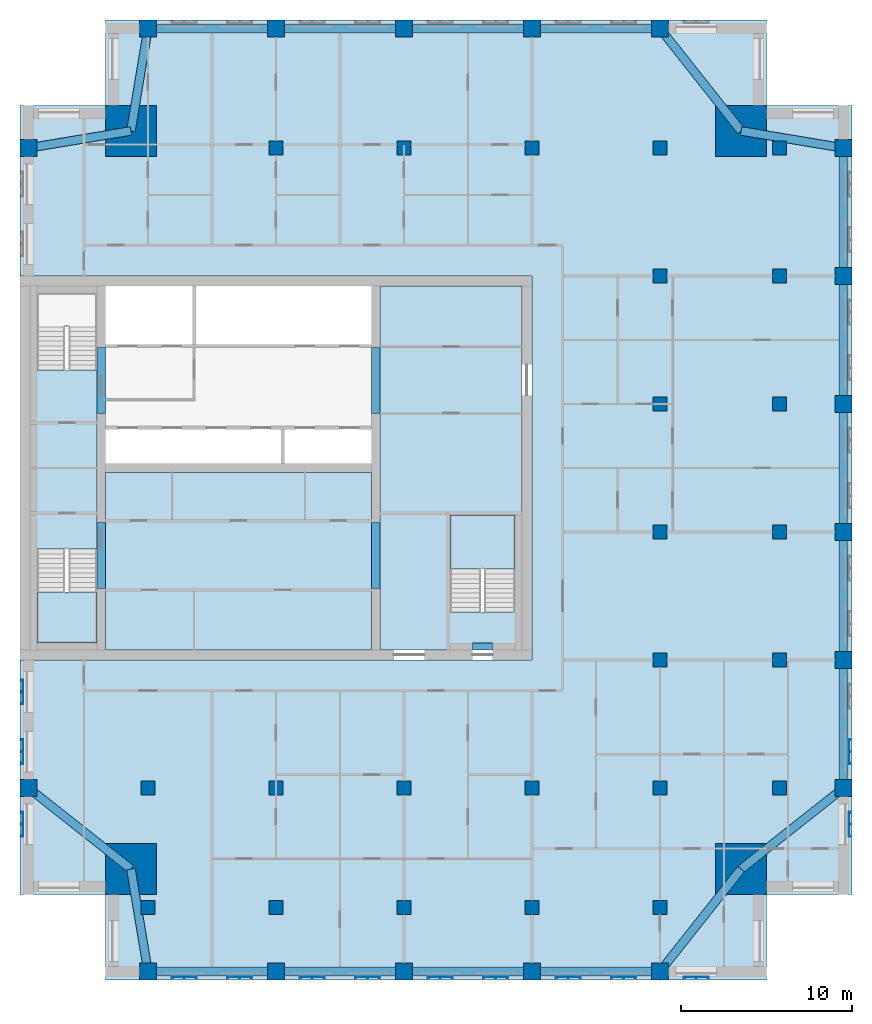
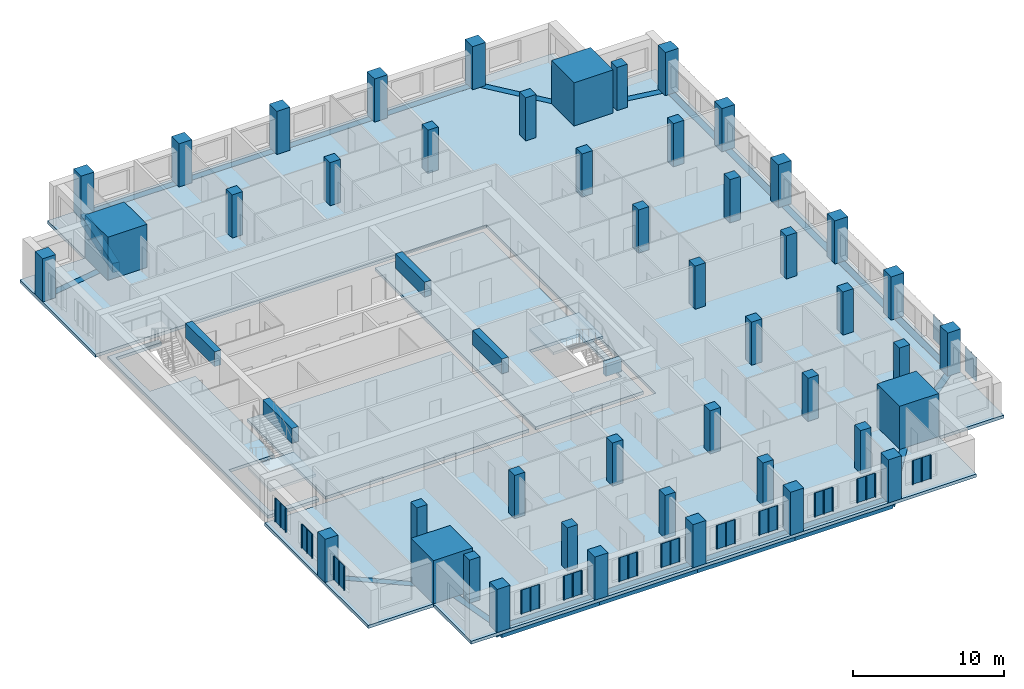
# One storey, part 1 of 11: 46 columns, 26 beams, 14 plates, 6 slabs, 2 elements without a shape of their own.
"""IFC4 building model written with IfcOpenShell, lengths in metres."""

from ifc_helpers import new_model, si_unit, direction, frame, origin, origin_2d, place, context, subcontext, project, spatial, polyline, rectangle, outline, extrude, material, layer, layer_set, material_profile, profile_set, type_object, element, aggregate, save


model = new_model("IFC4")

# Units and contexts
model_context = context("Model", 3, precision=1e-05, world=origin(), true_north=direction((0.0, 1.0)))
body_context = subcontext(model_context, "Body", "Model", "MODEL_VIEW")
ifc_project = project(units=[si_unit("LENGTHUNIT", "METRE"), si_unit("AREAUNIT", "SQUARE_METRE"), si_unit("VOLUMEUNIT", "CUBIC_METRE"), si_unit("PLANEANGLEUNIT", "RADIAN"), si_unit("MASSUNIT", "GRAM", prefix="KILO")], contexts=[model_context])

# Site, building, storey
site_placement = place(None, origin())
site = spatial("IfcSite", under=ifc_project, at=site_placement, CompositionType="ELEMENT")
building_placement = place(site_placement, origin())
building = spatial("IfcBuilding", under=site, at=building_placement, Name="Tamorin Gate", CompositionType="ELEMENT")
storey_placement = place(building_placement, frame((0.0, 0.0, 233.699951171875)))
storey = spatial("IfcBuildingStorey", under=building, at=storey_placement, Name="L58", CompositionType="ELEMENT", Elevation=233.699951171875)

# Columns
ifc_material_1 = material(Name="Concrete C50/60", Category="concrete")
ifc_material_profile_1 = material_profile(ifc_material_1, rectangle(XDim=1.0, YDim=1.0, at=origin_2d()), Name="RC 1000x1000")
ifc_profile_set_1 = profile_set([ifc_material_profile_1], Name="Concrete C50/60")
column_type_1 = type_object("IfcColumnType", Name="RC column 1000x1000 C50/60", PredefinedType="COLUMN", material=ifc_profile_set_1)
for number, where, z_axis, x_axis, name in (
    (1, (37.5, 41.75, 0.0), (0.0, 0.0, 1.0), (1.0, 0.0, 0.0), "Ring column L58"),
    (2, (45.0, 41.75, 0.0), (0.0, 0.0, 1.0), (1.0, 0.0, 0.0), "Ring column L58"),
    (3, (52.5, 41.75, 0.0), (0.0, 0.0, 1.0), (1.0, 0.0, 0.0), "Ring column L58"),
    (4, (60.0, 41.75, 0.0), (0.0, 0.0, 1.0), (1.0, 0.0, 0.0), "Ring column L58"),
    (5, (67.5, 41.75, 0.0), (0.0, 0.0, 1.0), (1.0, 0.0, 0.0), "Ring column L58"),
    (6, (78.25, 52.5, 0.0), (0.0, 0.0, 1.0), (1.0, 0.0, 0.0), "Ring column L58"),
    (7, (78.25, 60.0, 0.0), (0.0, 0.0, 1.0), (1.0, 0.0, 0.0), "Ring column L58"),
    (8, (78.25, 67.5, 0.0), (0.0, 0.0, 1.0), (1.0, 0.0, 0.0), "Ring column L58"),
    (9, (78.25, 75.0, 0.0), (0.0, 0.0, 1.0), (1.0, 0.0, 0.0), "Ring column L58"),
    (10, (78.25, 82.5, 0.0), (0.0, 0.0, 1.0), (1.0, 0.0, 0.0), "Ring column L58"),
    (11, (78.25, 90.0, 0.0), (0.0, 0.0, 1.0), (1.0, 0.0, 0.0), "Ring column L58"),
    (12, (30.5, 52.5, 0.0), (0.0, 0.0, 1.0), (1.0, 0.0, 0.0), "Ring column L58"),
    (13, (30.5, 90.0, 0.0), (0.0, 0.0, 1.0), (1.0, 0.0, 0.0), "Ring column L58"),
    (14, (37.5, 97.0, 0.0), (0.0, 0.0, 1.0), (1.0, 0.0, 0.0), "Ring column L58"),
    (15, (45.0, 97.0, 0.0), (0.0, 0.0, 1.0), (1.0, 0.0, 0.0), "Ring column L58"),
    (16, (52.5, 97.0, 0.0), (0.0, 0.0, 1.0), (1.0, 0.0, 0.0), "Ring column L58"),
    (17, (60.0, 97.0, 0.0), (0.0, 0.0, 1.0), (1.0, 0.0, 0.0), "Ring column L58"),
    (18, (67.5, 97.0, 0.0), (0.0, 0.0, 1.0), (1.0, 0.0, 0.0), "Ring column L58"),
):
    element("IfcColumn", number, at=place(storey_placement, frame(where, z_axis=z_axis, x_axis=x_axis)), inside=storey, type_object=column_type_1, Name=name, PredefinedType="COLUMN", context=body_context, shape_type="SweptSolid", body=[
        extrude(rectangle(XDim=1.0, YDim=1.0, at=origin_2d()), origin(), (0.0, 0.0, 1.0), 3.5),
    ])
ifc_material_profile_2 = material_profile(ifc_material_1, rectangle(XDim=3.0, YDim=3.0, at=origin_2d()), Name="RC 3000x3000")
ifc_profile_set_2 = profile_set([ifc_material_profile_2], Name="Concrete C50/60")
column_type_2 = type_object("IfcColumnType", Name="RC column 3000x3000 C50/60", PredefinedType="COLUMN", material=ifc_profile_set_2)
for number, where, z_axis, x_axis, name in (
    (19, (36.5, 47.75, 0.0), (0.0, 0.0, 1.0), (1.0, 0.0, 0.0), "Mega column SW L58"),
    (20, (72.25, 47.75, 0.0), (0.0, 0.0, 1.0), (1.0, 0.0, 0.0), "Mega column SE L58"),
    (21, (36.5, 91.0, 0.0), (0.0, 0.0, 1.0), (1.0, 0.0, 0.0), "Mega column NW L58"),
    (22, (72.25, 91.0, 0.0), (0.0, 0.0, 1.0), (1.0, 0.0, 0.0), "Mega column NE L58"),
):
    element("IfcColumn", number, at=place(storey_placement, frame(where, z_axis=z_axis, x_axis=x_axis)), inside=storey, type_object=column_type_2, Name=name, PredefinedType="COLUMN", context=body_context, shape_type="SweptSolid", body=[
        extrude(rectangle(XDim=3.0, YDim=3.0, at=origin_2d()), origin(), (0.0, 0.0, 1.0), 3.5),
    ])
ifc_material_profile_3 = material_profile(ifc_material_1, rectangle(XDim=0.800048828125, YDim=0.800048828125, at=origin_2d()), Name="RC 800x800")
ifc_profile_set_3 = profile_set([ifc_material_profile_3], Name="Concrete C50/60")
column_type_3 = type_object("IfcColumnType", Name="RC column 800x800 C50/60", PredefinedType="COLUMN", material=ifc_profile_set_3)
for number, where, z_axis, x_axis, name in (
    (23, (37.5, 45.5, 0.0), (0.0, 0.0, 1.0), (1.0, 0.0, 0.0), "Interior column L58"),
    (24, (37.5, 52.5, 0.0), (0.0, 0.0, 1.0), (1.0, 0.0, 0.0), "Interior column L58"),
    (25, (45.0, 45.5, 0.0), (0.0, 0.0, 1.0), (1.0, 0.0, 0.0), "Interior column L58"),
    (26, (45.0, 52.5, 0.0), (0.0, 0.0, 1.0), (1.0, 0.0, 0.0), "Interior column L58"),
    (27, (45.0, 90.0, 0.0), (0.0, 0.0, 1.0), (1.0, 0.0, 0.0), "Interior column L58"),
    (28, (52.5, 45.5, 0.0), (0.0, 0.0, 1.0), (1.0, 0.0, 0.0), "Interior column L58"),
    (29, (52.5, 52.5, 0.0), (0.0, 0.0, 1.0), (1.0, 0.0, 0.0), "Interior column L58"),
    (30, (52.5, 90.0, 0.0), (0.0, 0.0, 1.0), (1.0, 0.0, 0.0), "Interior column L58"),
    (31, (60.0, 45.5, 0.0), (0.0, 0.0, 1.0), (1.0, 0.0, 0.0), "Interior column L58"),
    (32, (60.0, 52.5, 0.0), (0.0, 0.0, 1.0), (1.0, 0.0, 0.0), "Interior column L58"),
    (33, (60.0, 90.0, 0.0), (0.0, 0.0, 1.0), (1.0, 0.0, 0.0), "Interior column L58"),
    (34, (67.5, 45.5, 0.0), (0.0, 0.0, 1.0), (1.0, 0.0, 0.0), "Interior column L58"),
    (35, (67.5, 52.5, 0.0), (0.0, 0.0, 1.0), (1.0, 0.0, 0.0), "Interior column L58"),
    (36, (67.5, 60.0, 0.0), (0.0, 0.0, 1.0), (1.0, 0.0, 0.0), "Interior column L58"),
    (37, (67.5, 67.5, 0.0), (0.0, 0.0, 1.0), (1.0, 0.0, 0.0), "Interior column L58"),
    (38, (67.5, 75.0, 0.0), (0.0, 0.0, 1.0), (1.0, 0.0, 0.0), "Interior column L58"),
    (39, (67.5, 82.5, 0.0), (0.0, 0.0, 1.0), (1.0, 0.0, 0.0), "Interior column L58"),
    (40, (67.5, 90.0, 0.0), (0.0, 0.0, 1.0), (1.0, 0.0, 0.0), "Interior column L58"),
    (41, (74.5, 52.5, 0.0), (0.0, 0.0, 1.0), (1.0, 0.0, 0.0), "Interior column L58"),
    (42, (74.5, 60.0, 0.0), (0.0, 0.0, 1.0), (1.0, 0.0, 0.0), "Interior column L58"),
    (43, (74.5, 67.5, 0.0), (0.0, 0.0, 1.0), (1.0, 0.0, 0.0), "Interior column L58"),
    (44, (74.5, 75.0, 0.0), (0.0, 0.0, 1.0), (1.0, 0.0, 0.0), "Interior column L58"),
    (45, (74.5, 82.5, 0.0), (0.0, 0.0, 1.0), (1.0, 0.0, 0.0), "Interior column L58"),
    (46, (74.5, 90.0, 0.0), (0.0, 0.0, 1.0), (1.0, 0.0, 0.0), "Interior column L58"),
):
    element("IfcColumn", number, at=place(storey_placement, frame(where, z_axis=z_axis, x_axis=x_axis)), inside=storey, type_object=column_type_3, Name=name, PredefinedType="COLUMN", context=body_context, shape_type="SweptSolid", body=[
        extrude(rectangle(XDim=0.800048828125, YDim=0.800048828125, at=origin_2d()), origin(), (0.0, 0.0, 1.0), 3.5),
    ])

# Beams
ifc_material_profile_4 = material_profile(ifc_material_1, rectangle(XDim=0.5, YDim=1.199951171875, at=origin_2d()), Name="RC 500x1200")
ifc_profile_set_4 = profile_set([ifc_material_profile_4], Name="Concrete C50/60")
beam_type_1 = type_object("IfcBeamType", Name="RC coupling beam 500x1200 C50/60", PredefinedType="BEAM", material=ifc_profile_set_4)
for number, where, z_axis, x_axis, name in (
    (47, (34.75, 64.199951171875, 2.900146484375), (0.0, 1.0, 0.0), (-1.0, 0.0, 0.0), "Coupling beam L58"),
    (48, (34.75, 74.449951171875, 2.900146484375), (0.0, 1.0, 0.0), (-1.0, 0.0, 0.0), "Coupling beam L58"),
    (49, (50.85009765625, 64.199951171875, 2.900146484375), (0.0, 1.0, 0.0), (-1.0, 0.0, 0.0), "Coupling beam L58"),
    (50, (50.85009765625, 74.449951171875, 2.900146484375), (0.0, 1.0, 0.0), (-1.0, 0.0, 0.0), "Coupling beam L58"),
):
    element("IfcBeam", number, at=place(storey_placement, frame(where, z_axis=z_axis, x_axis=x_axis)), inside=storey, type_object=beam_type_1, Name=name, PredefinedType="BEAM", context=body_context, shape_type="SweptSolid", body=[
        extrude(rectangle(XDim=0.5, YDim=1.199951171875, at=origin_2d()), origin(), (0.0, 0.0, 1.0), 3.85009765625),
    ])
ifc_material_profile_5 = material_profile(ifc_material_1, rectangle(XDim=0.5, YDim=0.75, at=origin_2d()), Name="RC 500x750")
ifc_profile_set_5 = profile_set([ifc_material_profile_5], Name="Concrete C50/60")
beam_type_2 = type_object("IfcBeamType", Name="RC spandrel 500x750 C50/60", PredefinedType="BEAM", material=ifc_profile_set_5)
for number, where, z_axis, x_axis, name in (
    (51, (37.5, 41.75, -0.375), (1.0, 0.0, 0.0), (0.0, 1.0, 0.0), "Spandrel beam L58"),
    (52, (45.0, 41.75, -0.375), (1.0, 0.0, 0.0), (0.0, 1.0, 0.0), "Spandrel beam L58"),
    (53, (52.5, 41.75, -0.375), (1.0, 0.0, 0.0), (0.0, 1.0, 0.0), "Spandrel beam L58"),
    (54, (60.0, 41.75, -0.375), (1.0, 0.0, 0.0), (0.0, 1.0, 0.0), "Spandrel beam L58"),
    (55, (78.25, 52.5, -0.375), (0.0, 1.0, 0.0), (-1.0, 0.0, 0.0), "Spandrel beam L58"),
    (56, (78.25, 60.0, -0.375), (0.0, 1.0, 0.0), (-1.0, 0.0, 0.0), "Spandrel beam L58"),
    (57, (78.25, 67.5, -0.375), (0.0, 1.0, 0.0), (-1.0, 0.0, 0.0), "Spandrel beam L58"),
    (58, (78.25, 75.0, -0.375), (0.0, 1.0, 0.0), (-1.0, 0.0, 0.0), "Spandrel beam L58"),
    (59, (78.25, 82.5, -0.375), (0.0, 1.0, 0.0), (-1.0, 0.0, 0.0), "Spandrel beam L58"),
    (60, (67.5, 97.0, -0.375), (-1.0, 0.0, 0.0), (0.0, -1.0, 0.0), "Spandrel beam L58"),
    (61, (60.0, 97.0, -0.375), (-1.0, 0.0, 0.0), (0.0, -1.0, 0.0), "Spandrel beam L58"),
    (62, (52.5, 97.0, -0.375), (-1.0, 0.0, 0.0), (0.0, -1.0, 0.0), "Spandrel beam L58"),
    (63, (45.0, 97.0, -0.375), (-1.0, 0.0, 0.0), (0.0, -1.0, 0.0), "Spandrel beam L58"),
):
    element("IfcBeam", number, at=place(storey_placement, frame(where, z_axis=z_axis, x_axis=x_axis)), inside=storey, type_object=beam_type_2, Name=name, PredefinedType="BEAM", context=body_context, shape_type="SweptSolid", body=[
        extrude(rectangle(XDim=0.5, YDim=0.75, at=origin_2d()), origin(), (0.0, 0.0, 1.0), 7.5),
    ])
beam_1_placement = place(storey_placement, frame((36.5, 47.75, -0.375), z_axis=(0.164398987305, -0.986393923832, 0.0), x_axis=(0.986393923832, 0.164398987305, 0.0)))
element("IfcBeam", 64, at=beam_1_placement, inside=storey, type_object=beam_type_2, Name="Corner tie beam L58", PredefinedType="BEAM", context=body_context, shape_type="SweptSolid", body=[
    extrude(rectangle(XDim=0.5, YDim=0.75, at=origin_2d()), origin(), (0.0, 0.0, 1.0), 6.082763671875),
])
for number, where, z_axis, x_axis, name in (
    (65, (36.5, 47.75, -0.375), (-0.784045824462, 0.620702944366, 0.0), (-0.620702944366, -0.784045824462, 0.0), "Corner tie beam L58"),
    (66, (72.25, 47.75, -0.375), (-0.620702944366, -0.784045824462, 0.0), (0.784045824462, -0.620702944366, 0.0), "Corner tie beam L58"),
    (67, (72.25, 47.75, -0.375), (0.784045824462, 0.620702944366, 0.0), (-0.620702944366, 0.784045824462, 0.0), "Corner tie beam L58"),
):
    element("IfcBeam", number, at=place(storey_placement, frame(where, z_axis=z_axis, x_axis=x_axis)), inside=storey, type_object=beam_type_2, Name=name, PredefinedType="BEAM", context=body_context, shape_type="SweptSolid", body=[
        extrude(rectangle(XDim=0.5, YDim=0.75, at=origin_2d()), origin(), (0.0, 0.0, 1.0), 7.652587890625),
    ])
for number, where, z_axis, x_axis, name in (
    (68, (36.5, 91.0, -0.375), (-0.986393923832, -0.164398987305, 0.0), (0.164398987305, -0.986393923832, 0.0), "Corner tie beam L58"),
    (69, (36.5, 91.0, -0.375), (0.164398987305, 0.986393923832, 0.0), (-0.986393923832, 0.164398987305, 0.0), "Corner tie beam L58"),
    (70, (72.25, 91.0, -0.375), (0.986393923832, -0.164398987305, 0.0), (0.164398987305, 0.986393923832, 0.0), "Corner tie beam L58"),
):
    element("IfcBeam", number, at=place(storey_placement, frame(where, z_axis=z_axis, x_axis=x_axis)), inside=storey, type_object=beam_type_2, Name=name, PredefinedType="BEAM", context=body_context, shape_type="SweptSolid", body=[
        extrude(rectangle(XDim=0.5, YDim=0.75, at=origin_2d()), origin(), (0.0, 0.0, 1.0), 6.082763671875),
    ])
beam_2_placement = place(storey_placement, frame((72.25, 91.0, -0.375), z_axis=(-0.620702944366, 0.784045824462, 0.0), x_axis=(-0.784045824462, -0.620702944366, 0.0)))
element("IfcBeam", 71, at=beam_2_placement, inside=storey, type_object=beam_type_2, Name="Corner tie beam L58", PredefinedType="BEAM", context=body_context, shape_type="SweptSolid", body=[
    extrude(rectangle(XDim=0.5, YDim=0.75, at=origin_2d()), origin(), (0.0, 0.0, 1.0), 7.652587890625),
])
ifc_material_profile_6 = material_profile(ifc_material_1, rectangle(XDim=0.39990234375, YDim=1.0, at=origin_2d()))
ifc_profile_set_6 = profile_set([ifc_material_profile_6], Name="Concrete C50/60")
beam_type_3 = type_object("IfcBeamType", Name="Stair lintel 400x1000 C50/60", PredefinedType="BEAM", material=ifc_profile_set_6)
beam_3_placement = place(storey_placement, frame((56.5, 60.800048828125, 2.699951171875), z_axis=(1.0, 0.0, 0.0), x_axis=(0.0, 1.0, 0.0)))
element("IfcBeam", 72, at=beam_3_placement, inside=storey, type_object=beam_type_3, Name="Stair lintel", PredefinedType="BEAM", context=body_context, shape_type="SweptSolid", body=[
    extrude(rectangle(XDim=0.39990234375, YDim=1.0, at=origin_2d()), origin(), (0.0, 0.0, 1.0), 1.199951171875),
])

# Slabs
ifc_material_2 = material(Name="Concrete C40/50", Category="concrete")
ifc_layer_1 = layer(ifc_material_2, 0.25)
ifc_layer_set_1 = layer_set([ifc_layer_1], Name="Core floor slab 250 C40/50")
slab_type_1 = type_object("IfcSlabType", Name="Core floor slab 250 C40/50", PredefinedType="FLOOR", material=ifc_layer_set_1)
slab_1_placement = place(storey_placement, frame((0.0, 0.0, -0.25)))
element("IfcSlab", 73, at=slab_1_placement, inside=storey, type_object=slab_type_1, Name="Core floor L58", PredefinedType="FLOOR", context=body_context, shape_type="SweptSolid", body=[
    extrude(outline(polyline([(51.10009765625, 81.89990234375), (59.39990234375, 81.89990234375), (59.39990234375, 60.60009765625), (51.10009765625, 60.60009765625), (51.10009765625, 81.89990234375)]), holes=[polyline([(55.199951171875, 62.800048828125), (59.0, 62.800048828125), (59.0, 68.5), (55.199951171875, 68.5), (55.199951171875, 62.800048828125)])]), origin(), (0.0, 0.0, 1.0), 0.25),
])
slab_2_placement = place(storey_placement, frame((0.0, 0.0, -0.25)))
element("IfcSlab", 74, at=slab_2_placement, inside=storey, type_object=slab_type_1, Name="Core floor L58", PredefinedType="FLOOR", context=body_context, shape_type="SweptSolid", body=[
    extrude(outline(polyline([(50.60009765625, 71.0), (50.60009765625, 60.60009765625), (35.0, 60.60009765625), (35.0, 71.0), (50.60009765625, 71.0)])), origin(), (0.0, 0.0, 1.0), 0.25),
])
slab_3_placement = place(storey_placement, frame((0.0, 0.0, -0.25)))
element("IfcSlab", 75, at=slab_3_placement, inside=storey, type_object=slab_type_1, Name="Core floor L58", PredefinedType="FLOOR", context=body_context, shape_type="SweptSolid", body=[
    extrude(outline(polyline([(34.5, 60.60009765625), (30.60009765625, 60.60009765625), (30.60009765625, 81.89990234375), (34.5, 81.89990234375), (34.5, 81.5), (31.0, 81.5), (31.0, 77.0), (34.5, 77.0), (34.5, 66.5), (31.0, 66.5), (31.0, 61.0), (34.5, 61.0), (34.5, 60.60009765625)])), origin(), (0.0, 0.0, 1.0), 0.25),
])

# Stair, slab
stair_type = type_object("IfcStairType", Name="Exit stair", PredefinedType="HALF_TURN_STAIR", material=ifc_material_2)
stair_1_placement = place(storey_placement, origin())
stair_1 = element("IfcStair", 76, at=stair_1_placement, inside=storey, type_object=stair_type, Name="L58 stair ST1", PredefinedType="HALF_TURN_STAIR")
ifc_layer_2 = layer(ifc_material_2, 0.199951171875)
ifc_layer_set_2 = layer_set([ifc_layer_2], Name="Exit stair landing 200")
slab_type_2 = type_object("IfcSlabType", Name="Exit stair landing 200", PredefinedType="LANDING", material=ifc_layer_set_2)
slab_4_placement = place(storey_placement, frame((0.0, 0.0, 1.550048828125)))
slab_4 = element("IfcSlab", 77, at=slab_4_placement, type_object=slab_type_2, Name="ST1 landing 1", PredefinedType="LANDING", context=body_context, shape_type="SweptSolid", body=[
    extrude(outline(polyline([(31.0, 63.97998046875), (31.0, 61.0), (34.5, 61.0), (34.5, 63.97998046875), (31.0, 63.97998046875)])), origin(), (0.0, 0.0, 1.0), 0.199951171875),
])
aggregate(stair_1, [slab_4])

stair_2_placement = place(storey_placement, origin())
stair_2 = element("IfcStair", 78, at=stair_2_placement, inside=storey, type_object=stair_type, Name="L58 stair ST3", PredefinedType="HALF_TURN_STAIR")
slab_5_placement = place(storey_placement, frame((0.0, 0.0, 1.550048828125)))
slab_5 = element("IfcSlab", 79, at=slab_5_placement, type_object=slab_type_2, Name="ST3 landing 1", PredefinedType="LANDING", context=body_context, shape_type="SweptSolid", body=[
    extrude(outline(polyline([(59.0, 65.320068359375), (59.0, 68.5), (55.199951171875, 68.5), (55.199951171875, 65.320068359375), (59.0, 65.320068359375)])), origin(), (0.0, 0.0, 1.0), 0.199951171875),
])
aggregate(stair_2, [slab_5])

# Slab
ifc_layer_3 = layer(ifc_material_2, 0.25)
ifc_layer_set_3 = layer_set([ifc_layer_3], Name="Floor slab 250 C40/50")
slab_type_3 = type_object("IfcSlabType", Name="Floor slab 250 C40/50", PredefinedType="FLOOR", material=ifc_layer_set_3)
slab_6_placement = place(storey_placement, frame((0.0, 0.0, -0.25)))
element("IfcSlab", 80, at=slab_6_placement, inside=storey, type_object=slab_type_3, Name="Floor L58", PredefinedType="FLOOR", context=body_context, shape_type="SweptSolid", body=[
    extrude(outline(polyline([(30.0, 92.5), (35.0, 92.5), (35.0, 97.5), (73.75, 97.5), (73.75, 92.5), (78.75, 92.5), (78.75, 46.25), (73.75, 46.25), (73.75, 41.25), (35.0, 41.25), (35.0, 46.25), (30.0, 46.25), (30.0, 60.0), (60.0, 60.0), (60.0, 82.5), (30.0, 82.5), (30.0, 92.5)])), origin(), (0.0, 0.0, 1.0), 0.25),
])

# Plates
ifc_material_3 = material(Name="Perforated pale aluminium sheet", Category="aluminium")
ifc_layer_4 = layer(ifc_material_3, 0.0400390625)
ifc_layer_set_4 = layer_set([ifc_layer_4], Name="Pale metal solar screen 1440")
plate_type = type_object("IfcPlateType", Name="Pale metal solar screen 1440", PredefinedType="SHEET", material=ifc_layer_set_4)
plate_1_placement = place(storey_placement, frame((0.0, 0.0, 0.737548828125)))
element("IfcPlate", 81, at=plate_1_placement, inside=storey, type_object=plate_type, Name="Perforated solar screen", PredefinedType="SHEET", context=body_context, shape_type="SweptSolid", body=[
    extrude(outline(polyline([(38.905029296875, 41.409912109375), (38.905029296875, 41.449951171875), (38.965087890625, 41.449951171875), (39.594970703125, 41.449951171875), (39.655029296875, 41.449951171875), (40.284912109375, 41.449951171875), (40.344970703125, 41.449951171875), (40.344970703125, 41.449951171875), (40.344970703125, 41.409912109375), (40.344970703125, 41.409912109375), (40.344970703125, 41.35009765625), (40.284912109375, 41.35009765625), (40.284912109375, 41.409912109375), (39.655029296875, 41.409912109375), (39.655029296875, 41.35009765625), (39.594970703125, 41.35009765625), (39.594970703125, 41.409912109375), (38.965087890625, 41.409912109375), (38.965087890625, 41.35009765625), (38.905029296875, 41.35009765625), (38.905029296875, 41.409912109375)])), origin(), (0.0, 0.0, 1.0), 1.925048828125),
])
plate_2_placement = place(storey_placement, frame((0.0, 0.0, 0.737548828125)))
element("IfcPlate", 82, at=plate_2_placement, inside=storey, type_object=plate_type, Name="Perforated solar screen", PredefinedType="SHEET", context=body_context, shape_type="SweptSolid", body=[
    extrude(outline(polyline([(42.155029296875, 41.409912109375), (42.155029296875, 41.449951171875), (42.215087890625, 41.449951171875), (42.844970703125, 41.449951171875), (42.905029296875, 41.449951171875), (43.534912109375, 41.449951171875), (43.594970703125, 41.449951171875), (43.594970703125, 41.409912109375), (43.594970703125, 41.35009765625), (43.534912109375, 41.35009765625), (43.534912109375, 41.409912109375), (42.905029296875, 41.409912109375), (42.905029296875, 41.35009765625), (42.844970703125, 41.35009765625), (42.844970703125, 41.409912109375), (42.215087890625, 41.409912109375), (42.215087890625, 41.35009765625), (42.155029296875, 41.35009765625), (42.155029296875, 41.409912109375)])), origin(), (0.0, 0.0, 1.0), 1.925048828125),
])
plate_3_placement = place(storey_placement, frame((0.0, 0.0, 0.737548828125)))
element("IfcPlate", 83, at=plate_3_placement, inside=storey, type_object=plate_type, Name="Perforated solar screen", PredefinedType="SHEET", context=body_context, shape_type="SweptSolid", body=[
    extrude(outline(polyline([(46.405029296875, 41.409912109375), (46.405029296875, 41.449951171875), (46.465087890625, 41.449951171875), (47.094970703125, 41.449951171875), (47.155029296875, 41.449951171875), (47.784912109375, 41.449951171875), (47.844970703125, 41.449951171875), (47.844970703125, 41.409912109375), (47.844970703125, 41.35009765625), (47.784912109375, 41.35009765625), (47.784912109375, 41.409912109375), (47.155029296875, 41.409912109375), (47.155029296875, 41.35009765625), (47.094970703125, 41.35009765625), (47.094970703125, 41.409912109375), (46.465087890625, 41.409912109375), (46.465087890625, 41.35009765625), (46.405029296875, 41.35009765625), (46.405029296875, 41.409912109375)])), origin(), (0.0, 0.0, 1.0), 1.925048828125),
])
plate_4_placement = place(storey_placement, frame((0.0, 0.0, 0.737548828125)))
element("IfcPlate", 84, at=plate_4_placement, inside=storey, type_object=plate_type, Name="Perforated solar screen", PredefinedType="SHEET", context=body_context, shape_type="SweptSolid", body=[
    extrude(outline(polyline([(49.655029296875, 41.409912109375), (49.655029296875, 41.449951171875), (49.715087890625, 41.449951171875), (50.344970703125, 41.449951171875), (50.405029296875, 41.449951171875), (51.034912109375, 41.449951171875), (51.094970703125, 41.449951171875), (51.094970703125, 41.409912109375), (51.094970703125, 41.35009765625), (51.034912109375, 41.35009765625), (51.034912109375, 41.409912109375), (50.405029296875, 41.409912109375), (50.405029296875, 41.35009765625), (50.344970703125, 41.35009765625), (50.344970703125, 41.409912109375), (49.715087890625, 41.409912109375), (49.715087890625, 41.35009765625), (49.655029296875, 41.35009765625), (49.655029296875, 41.409912109375)])), origin(), (0.0, 0.0, 1.0), 1.925048828125),
])
plate_5_placement = place(storey_placement, frame((0.0, 0.0, 0.737548828125)))
element("IfcPlate", 85, at=plate_5_placement, inside=storey, type_object=plate_type, Name="Perforated solar screen", PredefinedType="SHEET", context=body_context, shape_type="SweptSolid", body=[
    extrude(outline(polyline([(53.905029296875, 41.409912109375), (53.905029296875, 41.449951171875), (53.965087890625, 41.449951171875), (54.594970703125, 41.449951171875), (54.655029296875, 41.449951171875), (55.284912109375, 41.449951171875), (55.344970703125, 41.449951171875), (55.344970703125, 41.409912109375), (55.344970703125, 41.35009765625), (55.284912109375, 41.35009765625), (55.284912109375, 41.409912109375), (54.655029296875, 41.409912109375), (54.655029296875, 41.35009765625), (54.594970703125, 41.35009765625), (54.594970703125, 41.409912109375), (53.965087890625, 41.409912109375), (53.965087890625, 41.35009765625), (53.905029296875, 41.35009765625), (53.905029296875, 41.409912109375)])), origin(), (0.0, 0.0, 1.0), 1.925048828125),
])
plate_6_placement = place(storey_placement, frame((0.0, 0.0, 0.737548828125)))
element("IfcPlate", 86, at=plate_6_placement, inside=storey, type_object=plate_type, Name="Perforated solar screen", PredefinedType="SHEET", context=body_context, shape_type="SweptSolid", body=[
    extrude(outline(polyline([(57.155029296875, 41.409912109375), (57.155029296875, 41.449951171875), (57.215087890625, 41.449951171875), (57.844970703125, 41.449951171875), (57.905029296875, 41.449951171875), (58.534912109375, 41.449951171875), (58.594970703125, 41.449951171875), (58.594970703125, 41.409912109375), (58.594970703125, 41.35009765625), (58.534912109375, 41.35009765625), (58.534912109375, 41.409912109375), (57.905029296875, 41.409912109375), (57.905029296875, 41.35009765625), (57.844970703125, 41.35009765625), (57.844970703125, 41.409912109375), (57.215087890625, 41.409912109375), (57.215087890625, 41.35009765625), (57.155029296875, 41.35009765625), (57.155029296875, 41.409912109375)])), origin(), (0.0, 0.0, 1.0), 1.925048828125),
])
plate_7_placement = place(storey_placement, frame((0.0, 0.0, 0.737548828125)))
element("IfcPlate", 87, at=plate_7_placement, inside=storey, type_object=plate_type, Name="Perforated solar screen", PredefinedType="SHEET", context=body_context, shape_type="SweptSolid", body=[
    extrude(outline(polyline([(61.405029296875, 41.409912109375), (61.405029296875, 41.449951171875), (61.465087890625, 41.449951171875), (62.094970703125, 41.449951171875), (62.155029296875, 41.449951171875), (62.784912109375, 41.449951171875), (62.844970703125, 41.449951171875), (62.844970703125, 41.409912109375), (62.844970703125, 41.35009765625), (62.784912109375, 41.35009765625), (62.784912109375, 41.409912109375), (62.155029296875, 41.409912109375), (62.155029296875, 41.35009765625), (62.094970703125, 41.35009765625), (62.094970703125, 41.409912109375), (61.465087890625, 41.409912109375), (61.465087890625, 41.35009765625), (61.405029296875, 41.35009765625), (61.405029296875, 41.409912109375)])), origin(), (0.0, 0.0, 1.0), 1.925048828125),
])
plate_8_placement = place(storey_placement, frame((0.0, 0.0, 0.737548828125)))
element("IfcPlate", 88, at=plate_8_placement, inside=storey, type_object=plate_type, Name="Perforated solar screen", PredefinedType="SHEET", context=body_context, shape_type="SweptSolid", body=[
    extrude(outline(polyline([(64.655029296875, 41.409912109375), (64.655029296875, 41.449951171875), (64.715087890625, 41.449951171875), (65.344970703125, 41.449951171875), (65.405029296875, 41.449951171875), (66.034912109375, 41.449951171875), (66.094970703125, 41.449951171875), (66.094970703125, 41.409912109375), (66.094970703125, 41.35009765625), (66.034912109375, 41.35009765625), (66.034912109375, 41.409912109375), (65.405029296875, 41.409912109375), (65.405029296875, 41.35009765625), (65.344970703125, 41.35009765625), (65.344970703125, 41.409912109375), (64.715087890625, 41.409912109375), (64.715087890625, 41.35009765625), (64.655029296875, 41.35009765625), (64.655029296875, 41.409912109375)])), origin(), (0.0, 0.0, 1.0), 1.925048828125),
])
plate_9_placement = place(storey_placement, frame((0.0, 0.0, 0.737548828125)))
element("IfcPlate", 89, at=plate_9_placement, inside=storey, type_object=plate_type, Name="Perforated solar screen", PredefinedType="SHEET", context=body_context, shape_type="SweptSolid", body=[
    extrude(outline(polyline([(68.905029296875, 41.409912109375), (68.905029296875, 41.449951171875), (68.965087890625, 41.449951171875), (69.594970703125, 41.449951171875), (69.655029296875, 41.449951171875), (70.284912109375, 41.449951171875), (70.344970703125, 41.449951171875), (70.344970703125, 41.409912109375), (70.344970703125, 41.35009765625), (70.284912109375, 41.35009765625), (70.284912109375, 41.409912109375), (69.655029296875, 41.409912109375), (69.655029296875, 41.35009765625), (69.594970703125, 41.35009765625), (69.594970703125, 41.409912109375), (68.965087890625, 41.409912109375), (68.965087890625, 41.35009765625), (68.905029296875, 41.35009765625), (68.905029296875, 41.409912109375)])), origin(), (0.0, 0.0, 1.0), 1.925048828125),
])
plate_10_placement = place(storey_placement, frame((0.0, 0.0, 0.737548828125)))
element("IfcPlate", 90, at=plate_10_placement, inside=storey, type_object=plate_type, Name="Perforated solar screen", PredefinedType="SHEET", context=body_context, shape_type="SweptSolid", body=[
    extrude(outline(polyline([(78.590087890625, 49.655029296875), (78.550048828125, 49.655029296875), (78.550048828125, 49.715087890625), (78.550048828125, 50.344970703125), (78.550048828125, 50.405029296875), (78.550048828125, 51.034912109375), (78.550048828125, 51.094970703125), (78.550048828125, 51.094970703125), (78.590087890625, 51.094970703125), (78.590087890625, 51.094970703125), (78.64990234375, 51.094970703125), (78.64990234375, 51.034912109375), (78.590087890625, 51.034912109375), (78.590087890625, 50.405029296875), (78.64990234375, 50.405029296875), (78.64990234375, 50.344970703125), (78.590087890625, 50.344970703125), (78.590087890625, 49.715087890625), (78.64990234375, 49.715087890625), (78.64990234375, 49.655029296875), (78.590087890625, 49.655029296875)])), origin(), (0.0, 0.0, 1.0), 1.925048828125),
])
plate_11_placement = place(storey_placement, frame((0.0, 0.0, 0.737548828125)))
element("IfcPlate", 91, at=plate_11_placement, inside=storey, type_object=plate_type, Name="Perforated solar screen", PredefinedType="SHEET", context=body_context, shape_type="SweptSolid", body=[
    extrude(outline(polyline([(78.590087890625, 53.905029296875), (78.550048828125, 53.905029296875), (78.550048828125, 53.965087890625), (78.550048828125, 54.594970703125), (78.550048828125, 54.655029296875), (78.550048828125, 55.284912109375), (78.550048828125, 55.344970703125), (78.590087890625, 55.344970703125), (78.64990234375, 55.344970703125), (78.64990234375, 55.284912109375), (78.590087890625, 55.284912109375), (78.590087890625, 54.655029296875), (78.64990234375, 54.655029296875), (78.64990234375, 54.594970703125), (78.590087890625, 54.594970703125), (78.590087890625, 53.965087890625), (78.64990234375, 53.965087890625), (78.64990234375, 53.905029296875), (78.590087890625, 53.905029296875)])), origin(), (0.0, 0.0, 1.0), 1.925048828125),
])
plate_12_placement = place(storey_placement, frame((0.0, 0.0, 0.737548828125)))
element("IfcPlate", 92, at=plate_12_placement, inside=storey, type_object=plate_type, Name="Perforated solar screen", PredefinedType="SHEET", context=body_context, shape_type="SweptSolid", body=[
    extrude(outline(polyline([(30.159912109375, 55.344970703125), (30.199951171875, 55.344970703125), (30.199951171875, 55.284912109375), (30.199951171875, 54.655029296875), (30.199951171875, 54.594970703125), (30.199951171875, 53.965087890625), (30.199951171875, 53.905029296875), (30.159912109375, 53.905029296875), (30.10009765625, 53.905029296875), (30.10009765625, 53.965087890625), (30.159912109375, 53.965087890625), (30.159912109375, 54.594970703125), (30.10009765625, 54.594970703125), (30.10009765625, 54.655029296875), (30.159912109375, 54.655029296875), (30.159912109375, 55.284912109375), (30.10009765625, 55.284912109375), (30.10009765625, 55.344970703125), (30.159912109375, 55.344970703125)])), origin(), (0.0, 0.0, 1.0), 1.925048828125),
])
plate_13_placement = place(storey_placement, frame((0.0, 0.0, 0.737548828125)))
element("IfcPlate", 93, at=plate_13_placement, inside=storey, type_object=plate_type, Name="Perforated solar screen", PredefinedType="SHEET", context=body_context, shape_type="SweptSolid", body=[
    extrude(outline(polyline([(30.159912109375, 58.844970703125), (30.199951171875, 58.844970703125), (30.199951171875, 58.784912109375), (30.199951171875, 58.155029296875), (30.199951171875, 58.094970703125), (30.199951171875, 57.465087890625), (30.199951171875, 57.405029296875), (30.159912109375, 57.405029296875), (30.10009765625, 57.405029296875), (30.10009765625, 57.465087890625), (30.159912109375, 57.465087890625), (30.159912109375, 58.094970703125), (30.10009765625, 58.094970703125), (30.10009765625, 58.155029296875), (30.159912109375, 58.155029296875), (30.159912109375, 58.784912109375), (30.10009765625, 58.784912109375), (30.10009765625, 58.844970703125), (30.159912109375, 58.844970703125)])), origin(), (0.0, 0.0, 1.0), 1.925048828125),
])
plate_14_placement = place(storey_placement, frame((0.0, 0.0, 0.737548828125)))
element("IfcPlate", 94, at=plate_14_placement, inside=storey, type_object=plate_type, Name="Perforated solar screen", PredefinedType="SHEET", context=body_context, shape_type="SweptSolid", body=[
    extrude(outline(polyline([(30.159912109375, 51.094970703125), (30.199951171875, 51.094970703125), (30.199951171875, 51.034912109375), (30.199951171875, 50.405029296875), (30.199951171875, 50.344970703125), (30.199951171875, 49.715087890625), (30.199951171875, 49.655029296875), (30.159912109375, 49.655029296875), (30.10009765625, 49.655029296875), (30.10009765625, 49.715087890625), (30.159912109375, 49.715087890625), (30.159912109375, 50.344970703125), (30.10009765625, 50.344970703125), (30.10009765625, 50.405029296875), (30.159912109375, 50.405029296875), (30.159912109375, 51.034912109375), (30.10009765625, 51.034912109375), (30.10009765625, 51.094970703125), (30.159912109375, 51.094970703125)])), origin(), (0.0, 0.0, 1.0), 1.925048828125),
])

save(model, "model.ifc")
